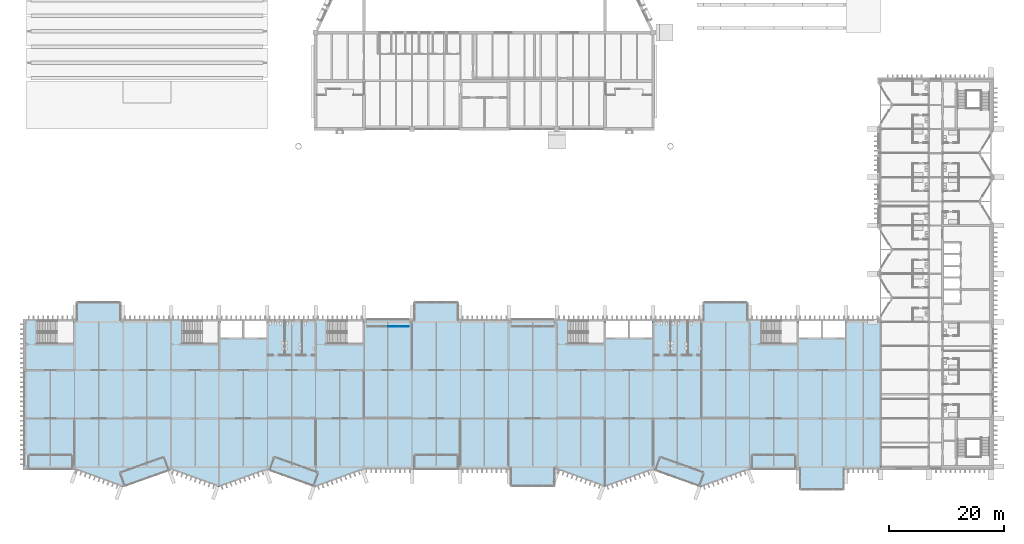
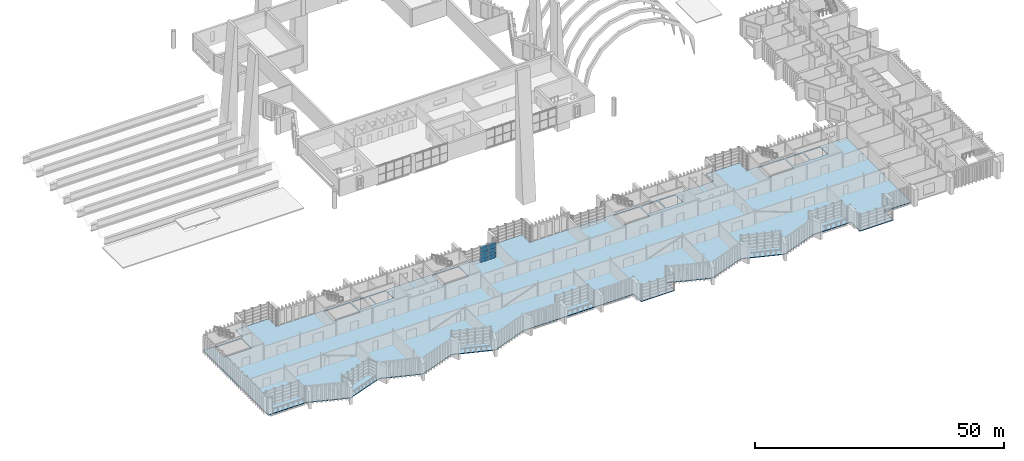
# One storey, part 46 of 88: 10 plates, 1 slab, 1 element without a shape of its own.
"""IFC4 building model written with IfcOpenShell, lengths in metres."""

from ifc_helpers import new_model, si_unit, direction, frame, origin, origin_2d, place, context, subcontext, project, spatial, polyline, rectangle, outline, extrude, material, layer, layer_set, type_object, element, aggregate, save


model = new_model("IFC4")

# Units and contexts
model_context = context("Model", 3, precision=1e-05, world=origin(), true_north=direction((0.0, 1.0)))
body_context = subcontext(model_context, "Body", "Model", "MODEL_VIEW")
ifc_project = project(units=[si_unit("LENGTHUNIT", "METRE"), si_unit("AREAUNIT", "SQUARE_METRE"), si_unit("VOLUMEUNIT", "CUBIC_METRE"), si_unit("PLANEANGLEUNIT", "RADIAN"), si_unit("MASSUNIT", "GRAM", prefix="KILO")], contexts=[model_context])

# Site, building, storey
site_placement = place(None, origin())
site = spatial("IfcSite", under=ifc_project, at=site_placement, CompositionType="ELEMENT")
building_placement = place(site_placement, origin())
building = spatial("IfcBuilding", under=site, at=building_placement, Name="Cresset Court Congress Hotel", CompositionType="ELEMENT")
storey_placement = place(building_placement, frame((0.0, 0.0, 14.39990234375)))
storey = spatial("IfcBuildingStorey", under=building, at=storey_placement, Name="L03", CompositionType="ELEMENT", Elevation=14.39990234375)

# Curtain wall, plates
ifc_material_1 = material(Name="Aluminium frame with double glazing", Category="aluminium")
ifc_layer_1 = layer(ifc_material_1, 0.199951171875)
ifc_layer_set_1 = layer_set([ifc_layer_1], Name="Glazed box curtain wall 1680 module")
curtain_wall_type = type_object("IfcCurtainWallType", Name="Glazed box curtain wall 1680 module", PredefinedType="NOTDEFINED", material=ifc_layer_set_1)
curtain_wall_placement = place(storey_placement, origin())
curtain_wall = element("IfcCurtainWall", 1, at=curtain_wall_placement, inside=storey, type_object=curtain_wall_type, Name="Glazed box N0327 front", PredefinedType="NOTDEFINED")
ifc_material_2 = material(Name="Toughened double glazing", Category="glass")
ifc_layer_2 = layer(ifc_material_2, 0.028076171875)
ifc_layer_set_2 = layer_set([ifc_layer_2], Name="Box glass panel 28")
plate_type_1 = type_object("IfcPlateType", Name="Box glass panel 28", PredefinedType="CURTAIN_PANEL", material=ifc_layer_set_2)
plate_1_placement = place(storey_placement, frame((72.324951171875, 24.39990234375, 0.06005859375), z_axis=(0.0, 0.0, 1.0), x_axis=(1.0, 0.0, 0.0)))
plate_1 = element("IfcPlate", 2, at=plate_1_placement, type_object=plate_type_1, Name="B-X1 panel 3.1", PredefinedType="CURTAIN_PANEL", context=body_context, shape_type="SweptSolid", body=[
    extrude(rectangle(XDim=1.7900390625, YDim=0.028076171875, at=origin_2d()), origin(), (0.0, 0.0, 1.0), 0.715087890625),
])
plate_2_placement = place(storey_placement, frame((72.324951171875, 24.39990234375, 0.8349609375), z_axis=(0.0, 0.0, 1.0), x_axis=(1.0, 0.0, 0.0)))
plate_2 = element("IfcPlate", 3, at=plate_2_placement, type_object=plate_type_1, Name="B-X1 panel 3.2", PredefinedType="CURTAIN_PANEL", context=body_context, shape_type="SweptSolid", body=[
    extrude(rectangle(XDim=1.7900390625, YDim=0.028076171875, at=origin_2d()), origin(), (0.0, 0.0, 1.0), 0.7451171875),
])
plate_3_placement = place(storey_placement, frame((72.324951171875, 24.39990234375, 1.64013671875), z_axis=(0.0, 0.0, 1.0), x_axis=(1.0, 0.0, 0.0)))
plate_3 = element("IfcPlate", 4, at=plate_3_placement, type_object=plate_type_1, Name="B-X1 panel 3.3", PredefinedType="CURTAIN_PANEL", context=body_context, shape_type="SweptSolid", body=[
    extrude(rectangle(XDim=1.7900390625, YDim=0.028076171875, at=origin_2d()), origin(), (0.0, 0.0, 1.0), 0.7451171875),
])
plate_4_placement = place(storey_placement, frame((72.324951171875, 24.39990234375, 2.445068359375), z_axis=(0.0, 0.0, 1.0), x_axis=(1.0, 0.0, 0.0)))
plate_4 = element("IfcPlate", 5, at=plate_4_placement, type_object=plate_type_1, Name="B-X1 panel 3.4", PredefinedType="CURTAIN_PANEL", context=body_context, shape_type="SweptSolid", body=[
    extrude(rectangle(XDim=1.7900390625, YDim=0.028076171875, at=origin_2d()), origin(), (0.0, 0.0, 1.0), 0.7451171875),
])
plate_5_placement = place(storey_placement, frame((74.159912109375, 24.39990234375, 0.06005859375), z_axis=(0.0, 0.0, 1.0), x_axis=(1.0, 0.0, 0.0)))
plate_5 = element("IfcPlate", 6, at=plate_5_placement, type_object=plate_type_1, Name="B-X1 panel 4.1", PredefinedType="CURTAIN_PANEL", context=body_context, shape_type="SweptSolid", body=[
    extrude(rectangle(XDim=1.760009765625, YDim=0.028076171875, at=origin_2d()), origin(), (0.0, 0.0, 1.0), 0.715087890625),
])
plate_6_placement = place(storey_placement, frame((74.159912109375, 24.39990234375, 0.8349609375), z_axis=(0.0, 0.0, 1.0), x_axis=(1.0, 0.0, 0.0)))
plate_6 = element("IfcPlate", 7, at=plate_6_placement, type_object=plate_type_1, Name="B-X1 panel 4.2", PredefinedType="CURTAIN_PANEL", context=body_context, shape_type="SweptSolid", body=[
    extrude(rectangle(XDim=1.760009765625, YDim=0.028076171875, at=origin_2d()), origin(), (0.0, 0.0, 1.0), 0.7451171875),
])
plate_7_placement = place(storey_placement, frame((74.159912109375, 24.39990234375, 1.64013671875), z_axis=(0.0, 0.0, 1.0), x_axis=(1.0, 0.0, 0.0)))
plate_7 = element("IfcPlate", 8, at=plate_7_placement, type_object=plate_type_1, Name="B-X1 panel 4.3", PredefinedType="CURTAIN_PANEL", context=body_context, shape_type="SweptSolid", body=[
    extrude(rectangle(XDim=1.760009765625, YDim=0.028076171875, at=origin_2d()), origin(), (0.0, 0.0, 1.0), 0.7451171875),
])
plate_8_placement = place(storey_placement, frame((74.159912109375, 24.39990234375, 2.445068359375), z_axis=(0.0, 0.0, 1.0), x_axis=(1.0, 0.0, 0.0)))
plate_8 = element("IfcPlate", 9, at=plate_8_placement, type_object=plate_type_1, Name="B-X1 panel 4.4", PredefinedType="CURTAIN_PANEL", context=body_context, shape_type="SweptSolid", body=[
    extrude(rectangle(XDim=1.760009765625, YDim=0.028076171875, at=origin_2d()), origin(), (0.0, 0.0, 1.0), 0.7451171875),
])
ifc_material_3 = material(Name="Insulated aluminium spandrel panel", Category="aluminium")
ifc_layer_3 = layer(ifc_material_3, 0.0400390625)
ifc_layer_set_3 = layer_set([ifc_layer_3], Name="Box spandrel panel 40")
plate_type_2 = type_object("IfcPlateType", Name="Box spandrel panel 40", PredefinedType="CURTAIN_PANEL", material=ifc_layer_set_3)
plate_9_placement = place(storey_placement, frame((72.324951171875, 24.39990234375, 3.25), z_axis=(0.0, 0.0, 1.0), x_axis=(1.0, 0.0, 0.0)))
plate_9 = element("IfcPlate", 10, at=plate_9_placement, type_object=plate_type_2, Name="B-X1 spandrel panel 3.5", PredefinedType="CURTAIN_PANEL", context=body_context, shape_type="SweptSolid", body=[
    extrude(rectangle(XDim=1.7900390625, YDim=0.0400390625, at=origin_2d()), origin(), (0.0, 0.0, 1.0), 0.639892578125),
])
plate_10_placement = place(storey_placement, frame((74.159912109375, 24.39990234375, 3.25), z_axis=(0.0, 0.0, 1.0), x_axis=(1.0, 0.0, 0.0)))
plate_10 = element("IfcPlate", 11, at=plate_10_placement, type_object=plate_type_2, Name="B-X1 spandrel panel 4.5", PredefinedType="CURTAIN_PANEL", context=body_context, shape_type="SweptSolid", body=[
    extrude(rectangle(XDim=1.760009765625, YDim=0.0400390625, at=origin_2d()), origin(), (0.0, 0.0, 1.0), 0.639892578125),
])
aggregate(curtain_wall, [plate_1, plate_2, plate_3, plate_4, plate_9, plate_5, plate_6, plate_7, plate_8, plate_10])

# Slab
ifc_material_4 = material(Name="Concrete C35", Category="concrete")
ifc_layer_4 = layer(ifc_material_4, 0.14990234375)
ifc_layer_set_4 = layer_set([ifc_layer_4], Name="Composite deck slab 150")
slab_type = type_object("IfcSlabType", Name="Composite deck slab 150", PredefinedType="FLOOR", material=ifc_layer_set_4)
slab_placement = place(storey_placement, frame((0.0, 0.0, -0.14990234375)))
element("IfcSlab", 12, at=slab_placement, inside=storey, type_object=slab_type, Name="Floor slab L03", PredefinedType="FLOOR", context=body_context, shape_type="SweptSolid", body=[
    extrude(outline(polyline([(42.0, -3.550048828125), (33.60009765625, -0.550048828125), (25.199951171875, -3.550048828125), (16.800048828125, -0.5), (7.89990234375, -0.5), (7.89990234375, 25.699951171875), (17.10009765625, 25.699951171875), (17.10009765625, 28.699951171875), (24.89990234375, 28.699951171875), (24.89990234375, 25.699951171875), (75.89990234375, 25.699951171875), (75.89990234375, 28.699951171875), (83.699951171875, 28.699951171875), (83.699951171875, 25.699951171875), (126.300048828125, 25.699951171875), (126.300048828125, 28.699951171875), (134.10009765625, 28.699951171875), (134.10009765625, 25.699951171875), (157.199951171875, 25.699951171875), (157.199951171875, -0.5), (150.89990234375, -0.5), (150.89990234375, -4.10009765625), (143.10009765625, -4.10009765625), (143.10009765625, -0.5), (134.39990234375, -0.5), (126.0, -3.550048828125), (117.60009765625, -0.550048828125), (109.199951171875, -3.550048828125), (100.800048828125, -0.5), (100.5, -0.5), (100.5, -3.5), (92.699951171875, -3.5), (92.699951171875, -0.5), (67.199951171875, -0.5), (58.800048828125, -3.550048828125), (50.39990234375, -0.550048828125), (42.0, -3.550048828125)]), holes=[polyline([(10.380859375, 21.449951171875), (16.64990234375, 21.449951171875), (16.64990234375, 25.39990234375), (10.380859375, 25.39990234375), (10.380859375, 21.449951171875)]), polyline([(35.70068359375, 21.449951171875), (41.85009765625, 21.449951171875), (41.85009765625, 25.39990234375), (35.70068359375, 25.39990234375), (35.70068359375, 21.449951171875)]), polyline([(60.90087890625, 21.449951171875), (67.050048828125, 21.449951171875), (67.050048828125, 25.39990234375), (60.90087890625, 25.39990234375), (60.90087890625, 21.449951171875)]), polyline([(102.90087890625, 21.449951171875), (109.050048828125, 21.449951171875), (109.050048828125, 25.39990234375), (102.90087890625, 25.39990234375), (102.90087890625, 21.449951171875)]), polyline([(136.500732421875, 21.449951171875), (142.64990234375, 21.449951171875), (142.64990234375, 25.39990234375), (136.500732421875, 25.39990234375), (136.500732421875, 21.449951171875)]), polyline([(42.199951171875, 22.449951171875), (46.050048828125, 22.449951171875), (46.050048828125, 25.39990234375), (42.199951171875, 25.39990234375), (42.199951171875, 22.449951171875)]), polyline([(46.35009765625, 22.449951171875), (50.199951171875, 22.449951171875), (50.199951171875, 25.39990234375), (46.35009765625, 25.39990234375), (46.35009765625, 22.449951171875)]), polyline([(109.39990234375, 22.449951171875), (113.25, 22.449951171875), (113.25, 25.39990234375), (109.39990234375, 25.39990234375), (109.39990234375, 22.449951171875)]), polyline([(113.550048828125, 22.449951171875), (117.39990234375, 22.449951171875), (117.39990234375, 25.39990234375), (113.550048828125, 25.39990234375), (113.550048828125, 22.449951171875)]), polyline([(143.0, 22.449951171875), (146.85009765625, 22.449951171875), (146.85009765625, 25.39990234375), (143.0, 25.39990234375), (143.0, 22.449951171875)]), polyline([(147.14990234375, 22.449951171875), (151.0, 22.449951171875), (151.0, 25.39990234375), (147.14990234375, 25.39990234375), (147.14990234375, 22.449951171875)])]), origin(), (0.0, 0.0, 1.0), 0.14990234375),
])

save(model, "model.ifc")
